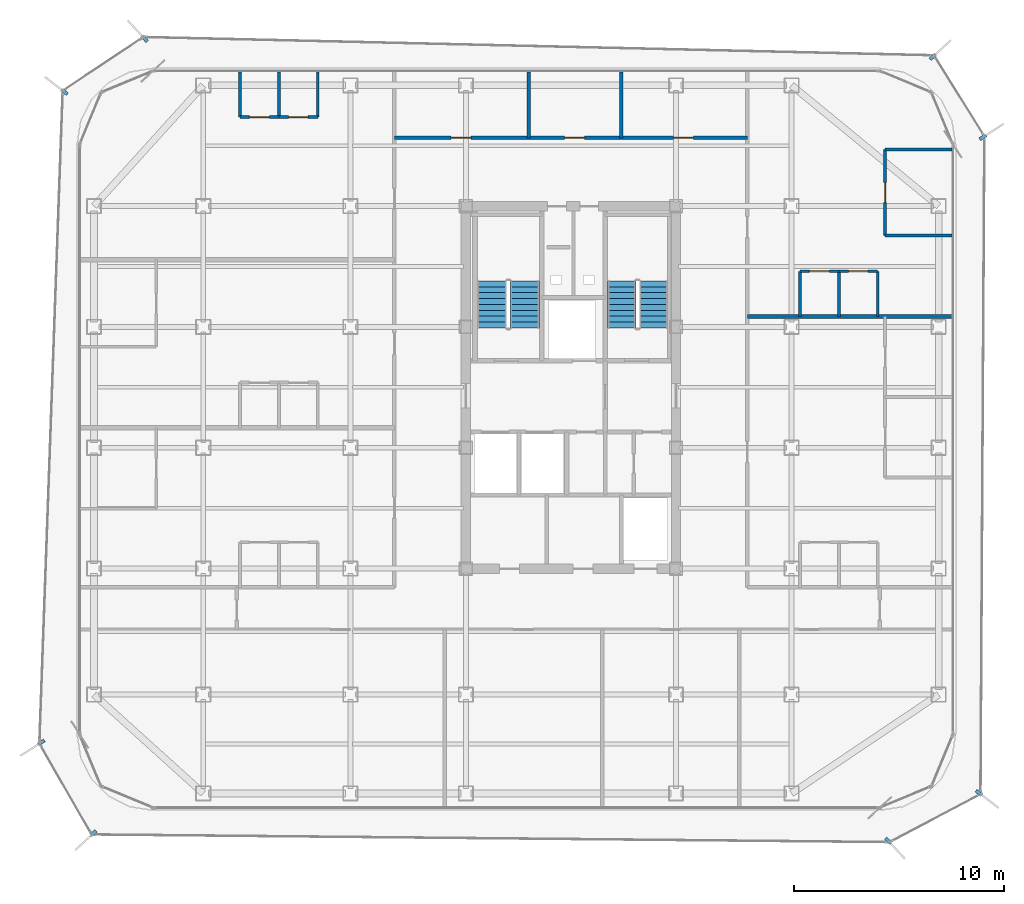
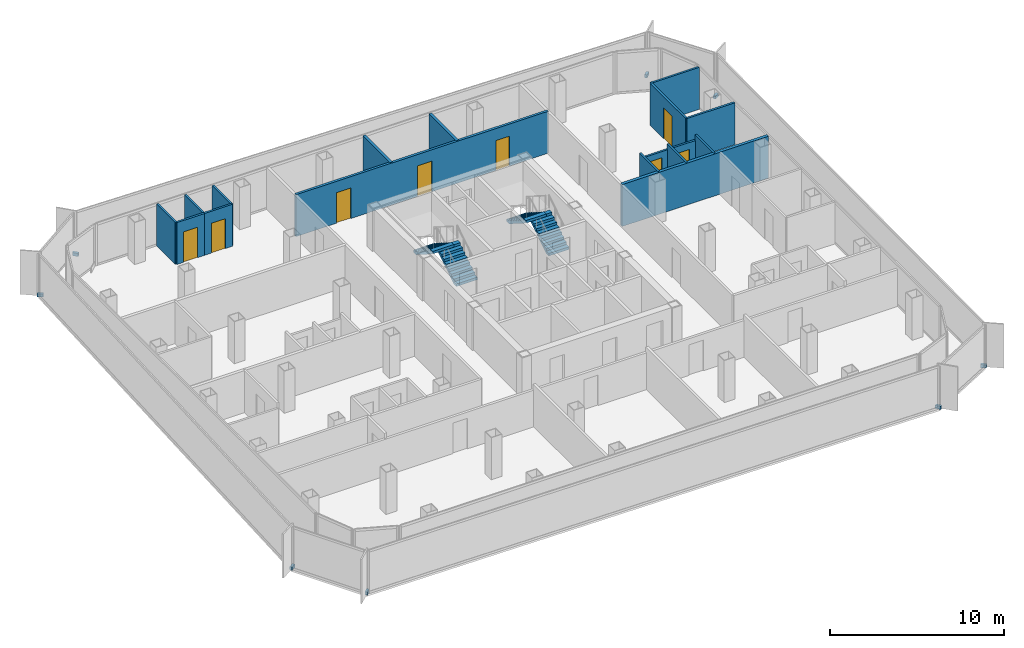
# One storey, part 12 of 15: 17 walls, 8 discrete accessories, 8 doors, 4 stair flights, 8 openings, 2 elements without a shape of their own.
"""IFC4 building model written with IfcOpenShell, lengths in metres."""

from ifc_helpers import new_model, si_unit, direction, frame, frame_2d, origin, origin_2d, place, context, subcontext, project, spatial, polyline, rectangle, outline, extrude, source, transform, mapped, material, layer, layer_set, type_object, element, fill, aggregate, save


model = new_model("IFC4")

# Units and contexts
model_context = context("Model", 3, precision=1e-05, world=origin(), true_north=direction((0.0, 1.0)))
body_context = subcontext(model_context, "Body", "Model", "MODEL_VIEW")
ifc_project = project(units=[si_unit("LENGTHUNIT", "METRE"), si_unit("AREAUNIT", "SQUARE_METRE"), si_unit("VOLUMEUNIT", "CUBIC_METRE"), si_unit("PLANEANGLEUNIT", "RADIAN"), si_unit("MASSUNIT", "GRAM", prefix="KILO")], contexts=[model_context])

# Site, building, storey
site_placement = place(None, origin())
site = spatial("IfcSite", under=ifc_project, at=site_placement, CompositionType="ELEMENT")
building_placement = place(site_placement, origin())
building = spatial("IfcBuilding", under=site, at=building_placement, Name="Kolveth Station Tower", CompositionType="ELEMENT")
storey_placement = place(building_placement, frame((0.0, 0.0, 196.39990234375)))
storey = spatial("IfcBuildingStorey", under=building, at=storey_placement, Name="L55", CompositionType="ELEMENT", Elevation=196.39990234375)

# Wall, opening, door
ifc_material_1 = material(Name="Moisture-resistant gypsum partition")
ifc_layer_1 = layer(ifc_material_1, 0.135009765625)
ifc_layer_set_1 = layer_set([ifc_layer_1], Name="Moisture-resistant gypsum partition")
wall_type_1 = type_object("IfcWallType", Name="Wall_IW-135", PredefinedType="PARTITIONING", material=ifc_layer_set_1)
wall_1_placement = place(storey_placement, frame((7.75, 32.989990234375, 0.0), z_axis=(0.0, 0.0, 1.0), x_axis=(1.0, 0.0, 0.0)))
wall_1 = element("IfcWall", 1, at=wall_1_placement, inside=storey, type_object=wall_type_1, Name="L55 Partition Wall WL-L55-W3-IBHK", PredefinedType="PARTITIONING", context=body_context, shape_type="SweptSolid", body=[
    extrude(rectangle(XDim=1.85009765625, YDim=0.135009765625, at=frame_2d((0.925048828125, 0.0))), origin(), (0.0, 0.0, 1.0), 2.9501953125),
])
opening_1_placement = place(wall_1_placement, frame((0.445068359375, 0.0, 0.0)))
opening_1 = element("IfcOpeningElement", 2, at=opening_1_placement, cuts=wall_1, Name="Opening ID1", PredefinedType="OPENING", context=body_context, shape_type="SweptSolid", body=[
    extrude(rectangle(XDim=0.949951171875, YDim=2.14990234375, at=frame_2d((0.47509765625, 1.074951171875))), frame((0.0, 0.077392578125, 0.0), z_axis=(0.0, -1.0, 0.0), x_axis=(1.0, 0.0, 0.0)), (0.0, 0.0, 1.0), 0.155029296875),
])
ifc_material_2 = material(Name="Acoustic hardwood leaf and aluminium frame", Category="wood")
door_type_1 = type_object("IfcDoorType", Name="Door_ID1", OperationType="NOTDEFINED", PredefinedType="DOOR", material=ifc_material_2)
door_1_placement = place(opening_1_placement, frame((0.949951171875, 0.0, 0.0), z_axis=(0.0, 0.0, 1.0), x_axis=(-1.0, 0.0, 0.0)))
door_1 = element("IfcDoor", 3, at=door_1_placement, inside=storey, type_object=door_type_1, Name="Penthouse Flat L55-W3 Kitchen Door", OperationType="SINGLE_SWING_LEFT", OverallHeight=2.14990234375, OverallWidth=0.949951171875, PredefinedType="DOOR", context=body_context, shape_type="SweptSolid", body=[
    extrude(rectangle(XDim=0.949951171875, YDim=2.14990234375, at=frame_2d((0.47509765625, 1.074951171875))), frame((0.0, 0.02490234375, 0.0), z_axis=(0.0, -1.0, 0.0), x_axis=(1.0, 0.0, 0.0)), (0.0, 0.0, 1.0), 0.050048828125),
])
fill(opening_1, door_1)

wall_2_placement = place(storey_placement, frame((9.60009765625, 32.989990234375, 0.0), z_axis=(0.0, 0.0, 1.0), x_axis=(1.0, 0.0, 0.0)))
wall_2 = element("IfcWall", 4, at=wall_2_placement, inside=storey, type_object=wall_type_1, Name="L55 Partition Wall WL-L55-W3-IBHB", PredefinedType="PARTITIONING", context=body_context, shape_type="SweptSolid", body=[
    extrude(rectangle(XDim=1.849853515625, YDim=0.135009765625, at=frame_2d((0.9248046875, 0.0))), origin(), (0.0, 0.0, 1.0), 2.9501953125),
])
opening_2_placement = place(wall_2_placement, frame((0.465087890625, 0.0, 0.0)))
opening_2 = element("IfcOpeningElement", 5, at=opening_2_placement, cuts=wall_2, Name="Opening ID2", PredefinedType="OPENING", context=body_context, shape_type="SweptSolid", body=[
    extrude(rectangle(XDim=0.919921875, YDim=2.10009765625, at=frame_2d((0.4599609375, 1.050048828125))), frame((0.0, 0.077392578125, 0.0), z_axis=(0.0, -1.0, 0.0), x_axis=(1.0, 0.0, 0.0)), (0.0, 0.0, 1.0), 0.155029296875),
])
ifc_material_3 = material(Name="Moisture-resistant hardwood leaf", Category="wood")
door_type_2 = type_object("IfcDoorType", Name="Door_ID2", OperationType="NOTDEFINED", PredefinedType="DOOR", material=ifc_material_3)
door_2_placement = place(opening_2_placement, frame((0.919921875, 0.0, 0.0), z_axis=(0.0, 0.0, 1.0), x_axis=(-1.0, 0.0, 0.0)))
door_2 = element("IfcDoor", 6, at=door_2_placement, inside=storey, type_object=door_type_2, Name="Penthouse Flat L55-W3 Bathroom Door", OperationType="SINGLE_SWING_RIGHT", OverallHeight=2.10009765625, OverallWidth=0.919921875, PredefinedType="DOOR", context=body_context, shape_type="SweptSolid", body=[
    extrude(rectangle(XDim=0.919921875, YDim=2.10009765625, at=frame_2d((0.4599609375, 1.050048828125))), frame((0.0, 0.02490234375, 0.0), z_axis=(0.0, -1.0, 0.0), x_axis=(1.0, 0.0, 0.0)), (0.0, 0.0, 1.0), 0.050048828125),
])
fill(opening_2, door_2)

# Walls
for number, where, z_axis, x_axis, name in (
    (7, (7.75, 32.989990234375, 0.0), (0.0, 0.0, 1.0), (0.0, 1.0, 0.0), "L55 Partition Wall WL-L55-W3-IBV0"),
    (8, (9.60009765625, 32.989990234375, 0.0), (0.0, 0.0, 1.0), (0.0, 1.0, 0.0), "L55 Partition Wall WL-L55-W3-IBV1"),
    (9, (11.449951171875, 32.989990234375, 0.0), (0.0, 0.0, 1.0), (0.0, 1.0, 0.0), "L55 Partition Wall WL-L55-W3-IBV2"),
):
    element("IfcWall", number, at=place(storey_placement, frame(where, z_axis=z_axis, x_axis=x_axis)), inside=storey, type_object=wall_type_1, Name=name, PredefinedType="PARTITIONING", context=body_context, shape_type="SweptSolid", body=[
        extrude(rectangle(XDim=2.14990234375, YDim=0.135009765625, at=frame_2d((1.074951171875, 0.0))), origin(), (0.0, 0.0, 1.0), 2.9501953125),
    ])

# Wall, opening, door
wall_3_placement = place(storey_placement, frame((34.39990234375, 25.64990234375, 0.0), z_axis=(0.0, 0.0, 1.0), x_axis=(1.0, 0.0, 0.0)))
wall_3 = element("IfcWall", 10, at=wall_3_placement, inside=storey, type_object=wall_type_1, Name="L55 Partition Wall WL-L55-E2-IBHK", PredefinedType="PARTITIONING", context=body_context, shape_type="SweptSolid", body=[
    extrude(rectangle(XDim=1.85009765625, YDim=0.135009765625, at=frame_2d((0.925048828125, 0.0))), origin(), (0.0, 0.0, 1.0), 2.5830078125),
])
opening_3_placement = place(wall_3_placement, frame((0.445068359375, 0.0, 0.0)))
opening_3 = element("IfcOpeningElement", 11, at=opening_3_placement, cuts=wall_3, Name="Opening ID1", PredefinedType="OPENING", context=body_context, shape_type="SweptSolid", body=[
    extrude(rectangle(XDim=0.949951171875, YDim=2.14990234375, at=frame_2d((0.47509765625, 1.074951171875))), frame((0.0, 0.077392578125, 0.0), z_axis=(0.0, -1.0, 0.0), x_axis=(1.0, 0.0, 0.0)), (0.0, 0.0, 1.0), 0.155029296875),
])
door_3_placement = place(opening_3_placement, origin())
door_3 = element("IfcDoor", 12, at=door_3_placement, inside=storey, type_object=door_type_1, Name="Penthouse Flat L55-E2 Kitchen Door", OperationType="SINGLE_SWING_LEFT", OverallHeight=2.14990234375, OverallWidth=0.949951171875, PredefinedType="DOOR", context=body_context, shape_type="SweptSolid", body=[
    extrude(rectangle(XDim=0.949951171875, YDim=2.14990234375, at=frame_2d((0.47509765625, 1.074951171875))), frame((0.0, 0.02490234375, 0.0), z_axis=(0.0, -1.0, 0.0), x_axis=(1.0, 0.0, 0.0)), (0.0, 0.0, 1.0), 0.050048828125),
])
fill(opening_3, door_3)

wall_4_placement = place(storey_placement, frame((36.25, 25.64990234375, 0.0), z_axis=(0.0, 0.0, 1.0), x_axis=(1.0, 0.0, 0.0)))
wall_4 = element("IfcWall", 13, at=wall_4_placement, inside=storey, type_object=wall_type_1, Name="L55 Partition Wall WL-L55-E2-IBHB", PredefinedType="PARTITIONING", context=body_context, shape_type="SweptSolid", body=[
    extrude(rectangle(XDim=1.85009765625, YDim=0.135009765625, at=frame_2d((0.925048828125, 0.0))), origin(), (0.0, 0.0, 1.0), 2.5830078125),
])
opening_4_placement = place(wall_4_placement, frame((0.465087890625, 0.0, 0.0)))
opening_4 = element("IfcOpeningElement", 14, at=opening_4_placement, cuts=wall_4, Name="Opening ID2", PredefinedType="OPENING", context=body_context, shape_type="SweptSolid", body=[
    extrude(rectangle(XDim=0.919921875, YDim=2.10009765625, at=frame_2d((0.4599609375, 1.050048828125))), frame((0.0, 0.077392578125, 0.0), z_axis=(0.0, -1.0, 0.0), x_axis=(1.0, 0.0, 0.0)), (0.0, 0.0, 1.0), 0.155029296875),
])
door_4_placement = place(opening_4_placement, origin())
door_4 = element("IfcDoor", 15, at=door_4_placement, inside=storey, type_object=door_type_2, Name="Penthouse Flat L55-E2 Bathroom Door", OperationType="SINGLE_SWING_RIGHT", OverallHeight=2.10009765625, OverallWidth=0.919921875, PredefinedType="DOOR", context=body_context, shape_type="SweptSolid", body=[
    extrude(rectangle(XDim=0.919921875, YDim=2.10009765625, at=frame_2d((0.4599609375, 1.050048828125))), frame((0.0, 0.02490234375, 0.0), z_axis=(0.0, -1.0, 0.0), x_axis=(1.0, 0.0, 0.0)), (0.0, 0.0, 1.0), 0.050048828125),
])
fill(opening_4, door_4)

# Walls
for number, where, z_axis, x_axis, name in (
    (16, (34.39990234375, 23.5, 0.0), (0.0, 0.0, 1.0), (0.0, 1.0, 0.0), "L55 Partition Wall WL-L55-E2-IBV0"),
    (17, (36.25, 23.5, 0.0), (0.0, 0.0, 1.0), (0.0, 1.0, 0.0), "L55 Partition Wall WL-L55-E2-IBV1"),
    (18, (38.10009765625, 23.5, 0.0), (0.0, 0.0, 1.0), (0.0, 1.0, 0.0), "L55 Partition Wall WL-L55-E2-IBV2"),
):
    element("IfcWall", number, at=place(storey_placement, frame(where, z_axis=z_axis, x_axis=x_axis)), inside=storey, type_object=wall_type_1, Name=name, PredefinedType="PARTITIONING", context=body_context, shape_type="SweptSolid", body=[
        extrude(rectangle(XDim=2.14990234375, YDim=0.135009765625, at=frame_2d((1.074951171875, 0.0))), origin(), (0.0, 0.0, 1.0), 2.9501953125),
    ])
for number, where, z_axis, x_axis, name in (
    (19, (38.449951171875, 27.345947265625, 0.0), (0.0, 0.0, 1.0), (1.0, 0.0, 0.0), "L55 Partition Wall WL-L55-E2-BDH0"),
    (20, (38.449951171875, 31.449951171875, 0.0), (0.0, 0.0, 1.0), (1.0, 0.0, 0.0), "L55 Partition Wall WL-L55-E2-BDHE"),
):
    element("IfcWall", number, at=place(storey_placement, frame(where, z_axis=z_axis, x_axis=x_axis)), inside=storey, type_object=wall_type_1, Name=name, PredefinedType="PARTITIONING", context=body_context, shape_type="SweptSolid", body=[
        extrude(rectangle(XDim=3.18994140625, YDim=0.135009765625, at=frame_2d((1.594970703125, 0.0))), origin(), (0.0, 0.0, 1.0), 2.9501953125),
    ])

# Wall, opening, door
wall_5_placement = place(storey_placement, frame((38.449951171875, 27.345947265625, 0.0), z_axis=(0.0, 0.0, 1.0), x_axis=(0.0, 1.0, 0.0)))
wall_5 = element("IfcWall", 21, at=wall_5_placement, inside=storey, type_object=wall_type_1, Name="L55 Partition Wall WL-L55-E2-BDV1", PredefinedType="PARTITIONING", context=body_context, shape_type="SweptSolid", body=[
    extrude(rectangle(XDim=4.10400390625, YDim=0.135009765625, at=frame_2d((2.052001953125, 0.0))), origin(), (0.0, 0.0, 1.0), 2.9501953125),
])
opening_5_placement = place(wall_5_placement, frame((1.572021484375, 0.0, 0.0)))
opening_5 = element("IfcOpeningElement", 22, at=opening_5_placement, cuts=wall_5, Name="Opening ID1", PredefinedType="OPENING", context=body_context, shape_type="SweptSolid", body=[
    extrude(rectangle(XDim=0.949951171875, YDim=2.14990234375, at=frame_2d((0.47509765625, 1.074951171875))), frame((0.0, 0.077392578125, 0.0), z_axis=(0.0, -1.0, 0.0), x_axis=(1.0, 0.0, 0.0)), (0.0, 0.0, 1.0), 0.155029296875),
])
door_5_placement = place(opening_5_placement, frame((0.949951171875, 0.0, 0.0), z_axis=(0.0, 0.0, 1.0), x_axis=(-1.0, 0.0, 0.0)))
door_5 = element("IfcDoor", 23, at=door_5_placement, inside=storey, type_object=door_type_1, Name="Penthouse Flat L55-E2 Bedroom 1 Door", OperationType="SINGLE_SWING_LEFT", OverallHeight=2.14990234375, OverallWidth=0.949951171875, PredefinedType="DOOR", context=body_context, shape_type="SweptSolid", body=[
    extrude(rectangle(XDim=0.949951171875, YDim=2.14990234375, at=frame_2d((0.47509765625, 1.074951171875))), frame((0.0, 0.02490234375, 0.0), z_axis=(0.0, -1.0, 0.0), x_axis=(1.0, 0.0, 0.0)), (0.0, 0.0, 1.0), 0.050048828125),
])
fill(opening_5, door_5)

# Wall, openings, doors
ifc_material_4 = material(Name="Acoustic double-stud gypsum partition")
ifc_layer_2 = layer(ifc_material_4, 0.1650390625)
ifc_layer_set_2 = layer_set([ifc_layer_2], Name="Acoustic double-stud gypsum partition")
wall_type_2 = type_object("IfcWallType", Name="Wall_IW-165", PredefinedType="PARTITIONING", material=ifc_layer_set_2)
wall_6_placement = place(storey_placement, frame((15.10009765625, 32.0, 0.0), z_axis=(0.0, 0.0, 1.0), x_axis=(1.0, 0.0, 0.0)))
wall_6 = element("IfcWall", 24, at=wall_6_placement, inside=storey, type_object=wall_type_2, Name="L55 Partition Wall WL-L55-RN", PredefinedType="PARTITIONING", context=body_context, shape_type="SweptSolid", body=[
    extrude(rectangle(XDim=16.7998046875, YDim=0.1650390625, at=frame_2d((8.39990234375, 0.0))), origin(), (0.0, 0.0, 1.0), 2.9501953125),
])
opening_6_placement = place(wall_6_placement, frame((2.699951171875, 0.0, 0.0)))
opening_6 = element("IfcOpeningElement", 25, at=opening_6_placement, cuts=wall_6, Name="Opening ID1", PredefinedType="OPENING", context=body_context, shape_type="SweptSolid", body=[
    extrude(rectangle(XDim=0.949951171875, YDim=2.14990234375, at=frame_2d((0.47509765625, 1.074951171875))), frame((0.0, 0.092529296875, 0.0), z_axis=(0.0, -1.0, 0.0), x_axis=(1.0, 0.0, 0.0)), (0.0, 0.0, 1.0), 0.18505859375),
])
opening_7_placement = place(wall_6_placement, frame((8.10009765625, 0.0, 0.0)))
opening_7 = element("IfcOpeningElement", 26, at=opening_7_placement, cuts=wall_6, Name="Opening ID1", PredefinedType="OPENING", context=body_context, shape_type="SweptSolid", body=[
    extrude(rectangle(XDim=0.949951171875, YDim=2.14990234375, at=frame_2d((0.47509765625, 1.074951171875))), frame((0.0, 0.092529296875, 0.0), z_axis=(0.0, -1.0, 0.0), x_axis=(1.0, 0.0, 0.0)), (0.0, 0.0, 1.0), 0.18505859375),
])
opening_8_placement = place(wall_6_placement, frame((13.300048828125, 0.0, 0.0)))
opening_8 = element("IfcOpeningElement", 27, at=opening_8_placement, cuts=wall_6, Name="Opening ID2", PredefinedType="OPENING", context=body_context, shape_type="SweptSolid", body=[
    extrude(rectangle(XDim=0.919921875, YDim=2.10009765625, at=frame_2d((0.4599609375, 1.050048828125))), frame((0.0, 0.092529296875, 0.0), z_axis=(0.0, -1.0, 0.0), x_axis=(1.0, 0.0, 0.0)), (0.0, 0.0, 1.0), 0.18505859375),
])
door_6_placement = place(opening_6_placement, origin())
door_6 = element("IfcDoor", 28, at=door_6_placement, inside=storey, type_object=door_type_1, Name="L55 Quiet Study 1 Door", OperationType="SINGLE_SWING_LEFT", OverallHeight=2.14990234375, OverallWidth=0.949951171875, PredefinedType="DOOR", context=body_context, shape_type="SweptSolid", body=[
    extrude(rectangle(XDim=0.949951171875, YDim=2.14990234375, at=frame_2d((0.47509765625, 1.074951171875))), frame((0.0, 0.02490234375, 0.0), z_axis=(0.0, -1.0, 0.0), x_axis=(1.0, 0.0, 0.0)), (0.0, 0.0, 1.0), 0.050048828125),
])
fill(opening_6, door_6)
door_7_placement = place(opening_7_placement, origin())
door_7 = element("IfcDoor", 29, at=door_7_placement, inside=storey, type_object=door_type_1, Name="L55 Quiet Study 2 Door", OperationType="SINGLE_SWING_RIGHT", OverallHeight=2.14990234375, OverallWidth=0.949951171875, PredefinedType="DOOR", context=body_context, shape_type="SweptSolid", body=[
    extrude(rectangle(XDim=0.949951171875, YDim=2.14990234375, at=frame_2d((0.47509765625, 1.074951171875))), frame((0.0, 0.02490234375, 0.0), z_axis=(0.0, -1.0, 0.0), x_axis=(1.0, 0.0, 0.0)), (0.0, 0.0, 1.0), 0.050048828125),
])
fill(opening_7, door_7)
door_8_placement = place(opening_8_placement, origin())
door_8 = element("IfcDoor", 30, at=door_8_placement, inside=storey, type_object=door_type_2, Name="L55 Accessible Residents' WC Door", OperationType="SINGLE_SWING_LEFT", OverallHeight=2.10009765625, OverallWidth=0.919921875, PredefinedType="DOOR", context=body_context, shape_type="SweptSolid", body=[
    extrude(rectangle(XDim=0.919921875, YDim=2.10009765625, at=frame_2d((0.4599609375, 1.050048828125))), frame((0.0, 0.02490234375, 0.0), z_axis=(0.0, -1.0, 0.0), x_axis=(1.0, 0.0, 0.0)), (0.0, 0.0, 1.0), 0.050048828125),
])
fill(opening_8, door_8)

# Walls
for number, where, z_axis, x_axis, name in (
    (31, (21.5, 32.0, 0.0), (0.0, 0.0, 1.0), (0.0, 1.0, 0.0), "L55 Partition Wall WL-L55-RN-P1"),
    (32, (25.89990234375, 32.0, 0.0), (0.0, 0.0, 1.0), (0.0, 1.0, 0.0), "L55 Partition Wall WL-L55-RN-P2"),
):
    element("IfcWall", number, at=place(storey_placement, frame(where, z_axis=z_axis, x_axis=x_axis)), inside=storey, type_object=wall_type_2, Name=name, PredefinedType="PARTITIONING", context=body_context, shape_type="SweptSolid", body=[
        extrude(rectangle(XDim=3.139892578125, YDim=0.1650390625, at=frame_2d((1.56982421875, 0.0))), origin(), (0.0, 0.0, 1.0), 2.9501953125),
    ])
ifc_material_5 = material(Name="Acoustic fire-rated gypsum blockwork", Category="masonry")
ifc_layer_3 = layer(ifc_material_5, 0.199951171875)
ifc_layer_set_3 = layer_set([ifc_layer_3], Name="Acoustic fire-rated gypsum blockwork")
wall_type_3 = type_object("IfcWallType", Name="Wall_IW-200", PredefinedType="PARTITIONING", material=ifc_layer_set_3)
wall_7_placement = place(storey_placement, frame((31.89990234375, 23.5, 0.0), z_axis=(0.0, 0.0, 1.0), x_axis=(1.0, 0.0, 0.0)))
element("IfcWall", 33, at=wall_7_placement, inside=storey, type_object=wall_type_3, Name="L55 Partition Wall WL-L55-REU-1", PredefinedType="PARTITIONING", context=body_context, shape_type="SweptSolid", body=[
    extrude(rectangle(XDim=9.739990234375, YDim=0.199951171875, at=frame_2d((4.8701171875, 0.0))), origin(), (0.0, 0.0, 1.0), 2.9501953125),
])

# Stair, stair flights
ifc_material_6 = material(Name="Concrete C40/50", Category="concrete")
stair_type_1 = type_object("IfcStairType", Name="Stair_ST1", PredefinedType="HALF_TURN_STAIR", material=ifc_material_6)
stair_1_placement = place(storey_placement, origin())
stair_1 = element("IfcStair", 34, at=stair_1_placement, inside=storey, type_object=stair_type_1, Name="L55 Tower Exit Stair ST1", PredefinedType="HALF_TURN_STAIR")
ifc_layer_4 = layer(ifc_material_6, 0.179931640625)
ifc_layer_set_4 = layer_set([ifc_layer_4], Name="Concrete C40/50")
stair_flight_type_1 = type_object("IfcStairFlightType", Name="Flight_ST1", PredefinedType="STRAIGHT", material=ifc_layer_set_4)
stair_flight_1_placement = place(storey_placement, frame((21.300048828125, 22.949951171875, 0.0), z_axis=(0.0, 0.0, 1.0), x_axis=(0.0, 1.0, 0.0)))
stair_flight_1 = element("IfcStairFlight", 35, at=stair_flight_1_placement, type_object=stair_flight_type_1, Name="ST1 flight 1", NumberOfRisers=9, NumberOfTreads=8, PredefinedType="STRAIGHT", RiserHeight=0.177777778, TreadLength=0.28, context=body_context, shape_type="SweptSolid", body=[
    extrude(outline(polyline([(0.0, 0.0), (0.0, 0.177734375), (0.280029296875, 0.177734375), (0.280029296875, 0.35546875), (0.56005859375, 0.35546875), (0.56005859375, 0.533447265625), (0.840087890625, 0.533447265625), (0.840087890625, 0.711181640625), (1.1201171875, 0.711181640625), (1.1201171875, 0.888916015625), (1.39990234375, 0.888916015625), (1.39990234375, 1.066650390625), (1.679931640625, 1.066650390625), (1.679931640625, 1.244384765625), (1.9599609375, 1.244384765625), (1.9599609375, 1.422119140625), (2.239990234375, 1.422119140625), (2.239990234375, 1.60009765625), (2.239990234375, 1.24462890625), (0.27978515625, 0.0), (0.0, 0.0)])), frame((0.0, 0.699951171875, 0.0), z_axis=(0.0, -1.0, 0.0), x_axis=(1.0, 0.0, 0.0)), (0.0, 0.0, 1.0), 1.39990234375),
])
stair_flight_2_placement = place(storey_placement, frame((19.739990234375, 25.18994140625, 1.60009765625), z_axis=(0.0, 0.0, 1.0), x_axis=(0.0, -1.0, 0.0)))
stair_flight_2 = element("IfcStairFlight", 36, at=stair_flight_2_placement, type_object=stair_flight_type_1, Name="ST1 flight 2", NumberOfRisers=9, NumberOfTreads=8, PredefinedType="STRAIGHT", RiserHeight=0.177777778, TreadLength=0.28, context=body_context, shape_type="SweptSolid", body=[
    extrude(outline(polyline([(0.0, 0.0), (0.0, 0.177734375), (0.280029296875, 0.177734375), (0.280029296875, 0.35546875), (0.56005859375, 0.35546875), (0.56005859375, 0.533447265625), (0.840087890625, 0.533447265625), (0.840087890625, 0.711181640625), (1.1201171875, 0.711181640625), (1.1201171875, 0.888916015625), (1.39990234375, 0.888916015625), (1.39990234375, 1.066650390625), (1.679931640625, 1.066650390625), (1.679931640625, 1.244384765625), (1.9599609375, 1.244384765625), (1.9599609375, 1.422119140625), (2.239990234375, 1.422119140625), (2.239990234375, 1.60009765625), (2.239990234375, 1.24462890625), (0.27978515625, 0.0), (0.0, 0.0)])), frame((0.0, 0.699951171875, 0.0), z_axis=(0.0, -1.0, 0.0), x_axis=(1.0, 0.0, 0.0)), (0.0, 0.0, 1.0), 1.39990234375),
])
aggregate(stair_1, [stair_flight_1, stair_flight_2])

stair_type_2 = type_object("IfcStairType", Name="Stair_ST2", PredefinedType="HALF_TURN_STAIR", material=ifc_material_6)
stair_2_placement = place(storey_placement, origin())
stair_2 = element("IfcStair", 37, at=stair_2_placement, inside=storey, type_object=stair_type_2, Name="L55 Tower Exit Stair ST2", PredefinedType="HALF_TURN_STAIR")
ifc_layer_5 = layer(ifc_material_6, 0.179931640625)
ifc_layer_set_5 = layer_set([ifc_layer_5], Name="Concrete C40/50")
stair_flight_type_2 = type_object("IfcStairFlightType", Name="Flight_ST2", PredefinedType="STRAIGHT", material=ifc_layer_set_5)
stair_flight_3_placement = place(storey_placement, frame((27.425048828125, 22.949951171875, 0.0), z_axis=(0.0, 0.0, 1.0), x_axis=(0.0, 1.0, 0.0)))
stair_flight_3 = element("IfcStairFlight", 38, at=stair_flight_3_placement, type_object=stair_flight_type_2, Name="ST2 flight 1", NumberOfRisers=9, NumberOfTreads=8, PredefinedType="STRAIGHT", RiserHeight=0.177777778, TreadLength=0.28, context=body_context, shape_type="SweptSolid", body=[
    extrude(outline(polyline([(0.0, 0.0), (0.0, 0.177734375), (0.280029296875, 0.177734375), (0.280029296875, 0.35546875), (0.56005859375, 0.35546875), (0.56005859375, 0.533447265625), (0.840087890625, 0.533447265625), (0.840087890625, 0.711181640625), (1.1201171875, 0.711181640625), (1.1201171875, 0.888916015625), (1.39990234375, 0.888916015625), (1.39990234375, 1.066650390625), (1.679931640625, 1.066650390625), (1.679931640625, 1.244384765625), (1.9599609375, 1.244384765625), (1.9599609375, 1.422119140625), (2.239990234375, 1.422119140625), (2.239990234375, 1.60009765625), (2.239990234375, 1.24462890625), (0.27978515625, 0.0), (0.0, 0.0)])), frame((0.0, 0.675048828125, 0.0), z_axis=(0.0, -1.0, 0.0), x_axis=(1.0, 0.0, 0.0)), (0.0, 0.0, 1.0), 1.35009765625),
])
stair_flight_4_placement = place(storey_placement, frame((25.9150390625, 25.18994140625, 1.60009765625), z_axis=(0.0, 0.0, 1.0), x_axis=(0.0, -1.0, 0.0)))
stair_flight_4 = element("IfcStairFlight", 39, at=stair_flight_4_placement, type_object=stair_flight_type_2, Name="ST2 flight 2", NumberOfRisers=9, NumberOfTreads=8, PredefinedType="STRAIGHT", RiserHeight=0.177777778, TreadLength=0.28, context=body_context, shape_type="SweptSolid", body=[
    extrude(outline(polyline([(0.0, 0.0), (0.0, 0.177734375), (0.280029296875, 0.177734375), (0.280029296875, 0.35546875), (0.56005859375, 0.35546875), (0.56005859375, 0.533447265625), (0.840087890625, 0.533447265625), (0.840087890625, 0.711181640625), (1.1201171875, 0.711181640625), (1.1201171875, 0.888916015625), (1.39990234375, 0.888916015625), (1.39990234375, 1.066650390625), (1.679931640625, 1.066650390625), (1.679931640625, 1.244384765625), (1.9599609375, 1.244384765625), (1.9599609375, 1.422119140625), (2.239990234375, 1.422119140625), (2.239990234375, 1.60009765625), (2.239990234375, 1.24462890625), (0.27978515625, 0.0), (0.0, 0.0)])), frame((0.0, 0.675048828125, 0.0), z_axis=(0.0, -1.0, 0.0), x_axis=(1.0, 0.0, 0.0)), (0.0, 0.0, 1.0), 1.35009765625),
])
aggregate(stair_2, [stair_flight_3, stair_flight_4])

# Discrete accessories
ifc_material_7 = material(Name="Steel S355", Category="steel")
discrete_accessory_type = type_object("IfcDiscreteAccessoryType", Name="Bracket_BK1", PredefinedType="BRACKET", material=ifc_material_7)
shared_shape = source(origin(), body_context, "Body", "SweptSolid", [
    extrude(rectangle(XDim=0.35009765625, YDim=0.159912109375, at=origin_2d()), origin(), (0.0, 0.0, 1.0), 0.219970703125),
])
for number, where, z_axis, x_axis, name in (
    (40, (38.594970703125, -1.452880859375, -0.06005859375), (0.0, 0.0, 1.0), (0.679569353932, -0.73361126845, 0.0), "L55 Double-Skin Radial Tie Bracket 1"),
    (41, (42.9189453125, 0.822998046875, -0.06005859375), (0.0, 0.0, 1.0), (0.794520615517, -0.607237178966, 0.0), "L55 Double-Skin Radial Tie Bracket 2"),
    (42, (43.10009765625, 32.02294921875, -0.06005859375), (0.0, 0.0, 1.0), (0.839430209734, 0.543467499475, 0.0), "L55 Double-Skin Radial Tie Bracket 3"),
    (43, (40.718994140625, 35.85302734375, -0.06005859375), (0.0, 0.0, 1.0), (0.73645139763, 0.676490457382, 0.0), "L55 Double-Skin Radial Tie Bracket 4"),
    (44, (3.208984375, 36.717041015625, -0.06005859375), (0.0, 0.0, 1.0), (-0.680209291693, 0.733017953051, 0.0), "L55 Double-Skin Radial Tie Bracket 5"),
    (45, (-0.60400390625, 34.179931640625, -0.06005859375), (0.0, 0.0, 1.0), (-0.792821793707, 0.609453528518, 0.0), "L55 Double-Skin Radial Tie Bracket 6"),
    (46, (-1.7080078125, 3.22607421875, -0.06005859375), (0.0, 0.0, 1.0), (-0.843016134425, -0.537888275667, 0.0), "L55 Double-Skin Radial Tie Bracket 7"),
    (47, (0.77099609375, -1.094970703125, -0.06005859375), (0.0, 0.0, 1.0), (-0.731829648029, -0.681487612702, 0.0), "L55 Double-Skin Radial Tie Bracket 8"),
):
    element("IfcDiscreteAccessory", number, at=place(storey_placement, frame(where, z_axis=z_axis, x_axis=x_axis)), inside=storey, type_object=discrete_accessory_type, Name=name, PredefinedType="BRACKET", context=body_context, shape_type="MappedRepresentation", body=[
        mapped(shared_shape, transform((0.0, 0.0, 0.0), x_axis=(1.0, 0.0, 0.0), y_axis=(0.0, 1.0, 0.0), z_axis=(0.0, 0.0, 1.0), scale=1.0)),
    ])

save(model, "model.ifc")
